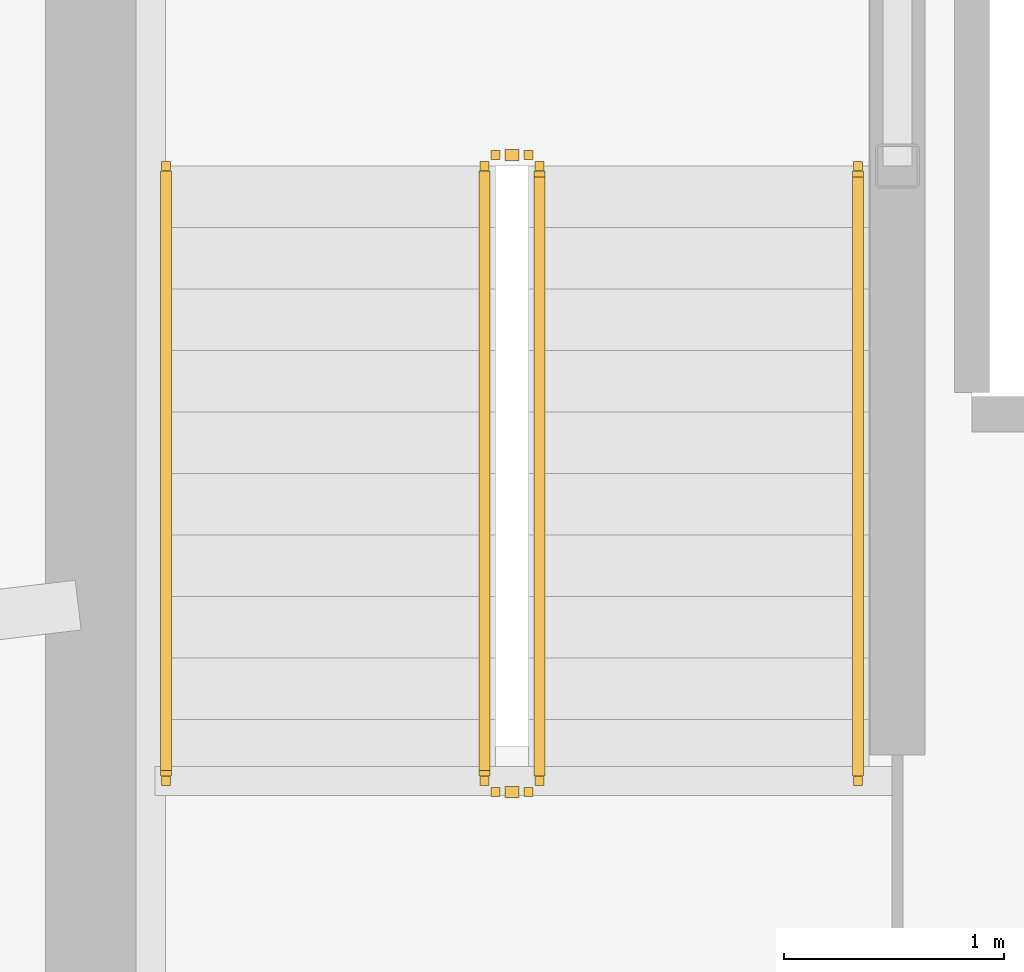
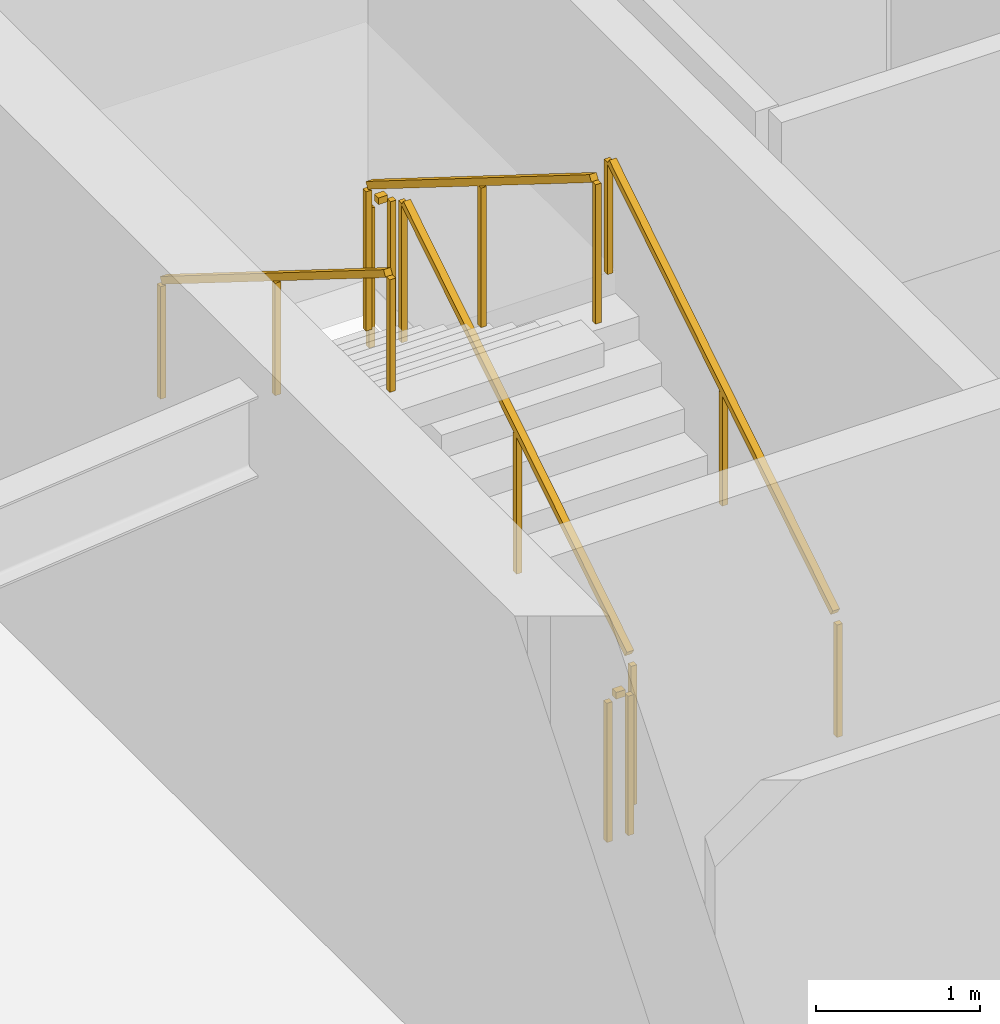
# One storey, part 25 of 30: 6 railings.
"""IFC4 building model written with IfcOpenShell, lengths in metres."""

from ifc_helpers import new_model, si_unit, direction, frame, origin, origin_2d, place, context, subcontext, project, spatial, rectangle, extrude, material, type_object, element, save


model = new_model("IFC4")

# Units and contexts
model_context = context("Model", 3, precision=1e-05, world=origin(), true_north=direction((0.0, 1.0)))
body_context = subcontext(model_context, "Body", "Model", "MODEL_VIEW")
ifc_project = project(units=[si_unit("LENGTHUNIT", "METRE"), si_unit("AREAUNIT", "SQUARE_METRE"), si_unit("VOLUMEUNIT", "CUBIC_METRE"), si_unit("PLANEANGLEUNIT", "RADIAN"), si_unit("MASSUNIT", "GRAM", prefix="KILO")], contexts=[model_context])

# Site, building, storey
site_placement = place(None, origin())
site = spatial("IfcSite", under=ifc_project, at=site_placement, CompositionType="ELEMENT")
building_placement = place(site_placement, origin())
building = spatial("IfcBuilding", under=site, at=building_placement, Name="Kazma Halo Residences", CompositionType="ELEMENT")
storey_placement = place(building_placement, frame((0.0, 0.0, 279.050048828125)))
storey = spatial("IfcBuildingStorey", under=building, at=storey_placement, Name="L70", CompositionType="ELEMENT", Elevation=279.050048828125)

# Railings
ifc_material_1 = material(Name="Painted Steel S355", Category="steel")
railing_type_1 = type_object("IfcRailingType", Name="RLG-STAIR-GRD-1100", PredefinedType="GUARDRAIL", material=ifc_material_1)
railing_1_placement = place(storey_placement, frame((39.550048828125, 39.949951171875, 0.175048828125)))
element("IfcRailing", 1, at=railing_1_placement, inside=storey, type_object=railing_type_1, Name="L70 ST-01 stair guard 1", PredefinedType="GUARDRAIL", context=body_context, shape_type="SweptSolid", body=[
    extrude(rectangle(XDim=0.050048828125, YDim=0.050048828125, at=origin_2d()), frame((0.0, 0.0361328125, 1.09765625), z_axis=(0.0, 0.848002457836, 0.529992293815), x_axis=(-1.0, 0.0, 0.0)), (0.0, 0.0, 1.0), 3.216796875),
    extrude(rectangle(XDim=0.0400390625, YDim=0.0400390625, at=origin_2d()), origin(), (0.0, 0.0, 1.0), 1.0380859375),
    extrude(rectangle(XDim=0.0400390625, YDim=0.0400390625, at=origin_2d()), frame((0.0, 1.39990234375, 0.875)), (0.0, 0.0, 1.0), 1.0380859375),
    extrude(rectangle(XDim=0.0400390625, YDim=0.0400390625, at=origin_2d()), frame((0.0, 2.800048828125, 1.75)), (0.0, 0.0, 1.0), 1.0380859375),
])
railing_2_placement = place(storey_placement, frame((39.5, 42.800048828125, 1.925048828125)))
element("IfcRailing", 2, at=railing_2_placement, inside=storey, type_object=railing_type_1, Name="L70 ST-01 stair guard 2", PredefinedType="GUARDRAIL", context=body_context, shape_type="SweptSolid", body=[
    extrude(rectangle(XDim=0.050048828125, YDim=0.050048828125, at=origin_2d()), frame((-0.04248046875, 0.0, 1.0751953125), z_axis=(-1.0, 0.0, 0.0), x_axis=(0.0, -1.0, 0.0)), (0.0, 0.0, 1.0), 0.06494140625),
    extrude(rectangle(XDim=0.0400390625, YDim=0.0400390625, at=origin_2d()), origin(), (0.0, 0.0, 1.0), 1.0380859375),
    extrude(rectangle(XDim=0.0400390625, YDim=0.0400390625, at=origin_2d()), frame((-0.14990234375, 0.0, 0.0)), (0.0, 0.0, 1.0), 1.0380859375),
])
railing_3_placement = place(storey_placement, frame((39.300048828125, 42.75, 2.099853515625)))
element("IfcRailing", 3, at=railing_3_placement, inside=storey, type_object=railing_type_1, Name="L70 ST-01 stair guard 3", PredefinedType="GUARDRAIL", context=body_context, shape_type="SweptSolid", body=[
    extrude(rectangle(XDim=0.050048828125, YDim=0.050048828125, at=origin_2d()), frame((0.0, -0.0361328125, 1.09765625), z_axis=(0.0, -0.848002457836, 0.529992293815), x_axis=(1.0, 0.0, 0.0)), (0.0, 0.0, 1.0), 3.216796875),
    extrude(rectangle(XDim=0.0400390625, YDim=0.0400390625, at=origin_2d()), origin(), (0.0, 0.0, 1.0), 1.0380859375),
    extrude(rectangle(XDim=0.0400390625, YDim=0.0400390625, at=origin_2d()), frame((0.0, -1.39990234375, 0.875)), (0.0, 0.0, 1.0), 1.0380859375),
    extrude(rectangle(XDim=0.0400390625, YDim=0.0400390625, at=origin_2d()), frame((0.0, -2.800048828125, 1.75)), (0.0, 0.0, 1.0), 1.0380859375),
])
railing_4_placement = place(storey_placement, frame((39.5, 39.89990234375, 0.0)))
element("IfcRailing", 4, at=railing_4_placement, inside=storey, type_object=railing_type_1, Name="L70 ST-01 stair guard 4", PredefinedType="GUARDRAIL", context=body_context, shape_type="SweptSolid", body=[
    extrude(rectangle(XDim=0.050048828125, YDim=0.050048828125, at=origin_2d()), frame((-0.04248046875, 0.0, 1.0751953125), z_axis=(-1.0, 0.0, 0.0), x_axis=(0.0, -1.0, 0.0)), (0.0, 0.0, 1.0), 0.06494140625),
    extrude(rectangle(XDim=0.0400390625, YDim=0.0400390625, at=origin_2d()), origin(), (0.0, 0.0, 1.0), 1.0380859375),
    extrude(rectangle(XDim=0.0400390625, YDim=0.0400390625, at=origin_2d()), frame((-0.14990234375, 0.0, 0.0)), (0.0, 0.0, 1.0), 1.0380859375),
])
ifc_material_2 = material(Name="Brushed Stainless Steel", Category="steel")
railing_type_2 = type_object("IfcRailingType", Name="RLG-STAIR-HND-900", PredefinedType="HANDRAIL", material=ifc_material_2)
railing_5_placement = place(storey_placement, frame((41.0, 39.949951171875, 0.175048828125)))
element("IfcRailing", 5, at=railing_5_placement, inside=storey, type_object=railing_type_2, Name="L70 ST-01 stair handrail 1", PredefinedType="HANDRAIL", context=body_context, shape_type="SweptSolid", body=[
    extrude(rectangle(XDim=0.050048828125, YDim=0.050048828125, at=origin_2d()), frame((0.0, 0.0361328125, 0.8974609375), z_axis=(0.0, 0.848002457836, 0.529992293815), x_axis=(-1.0, 0.0, 0.0)), (0.0, 0.0, 1.0), 3.216796875),
    extrude(rectangle(XDim=0.0400390625, YDim=0.0400390625, at=origin_2d()), origin(), (0.0, 0.0, 1.0), 0.837890625),
    extrude(rectangle(XDim=0.0400390625, YDim=0.0400390625, at=origin_2d()), frame((0.0, 1.39990234375, 0.875)), (0.0, 0.0, 1.0), 0.837890625),
    extrude(rectangle(XDim=0.0400390625, YDim=0.0400390625, at=origin_2d()), frame((0.0, 2.800048828125, 1.75)), (0.0, 0.0, 1.0), 0.837890625),
])
railing_6_placement = place(storey_placement, frame((37.85009765625, 42.75, 2.099853515625)))
element("IfcRailing", 6, at=railing_6_placement, inside=storey, type_object=railing_type_2, Name="L70 ST-01 stair handrail 2", PredefinedType="HANDRAIL", context=body_context, shape_type="SweptSolid", body=[
    extrude(rectangle(XDim=0.050048828125, YDim=0.050048828125, at=origin_2d()), frame((0.0, -0.0361328125, 0.8974609375), z_axis=(0.0, -0.848002457836, 0.529992293815), x_axis=(1.0, 0.0, 0.0)), (0.0, 0.0, 1.0), 3.216796875),
    extrude(rectangle(XDim=0.0400390625, YDim=0.0400390625, at=origin_2d()), origin(), (0.0, 0.0, 1.0), 0.837890625),
    extrude(rectangle(XDim=0.0400390625, YDim=0.0400390625, at=origin_2d()), frame((0.0, -1.39990234375, 0.875)), (0.0, 0.0, 1.0), 0.837890625),
    extrude(rectangle(XDim=0.0400390625, YDim=0.0400390625, at=origin_2d()), frame((0.0, -2.800048828125, 1.75)), (0.0, 0.0, 1.0), 0.837890625),
])

save(model, "model.ifc")
